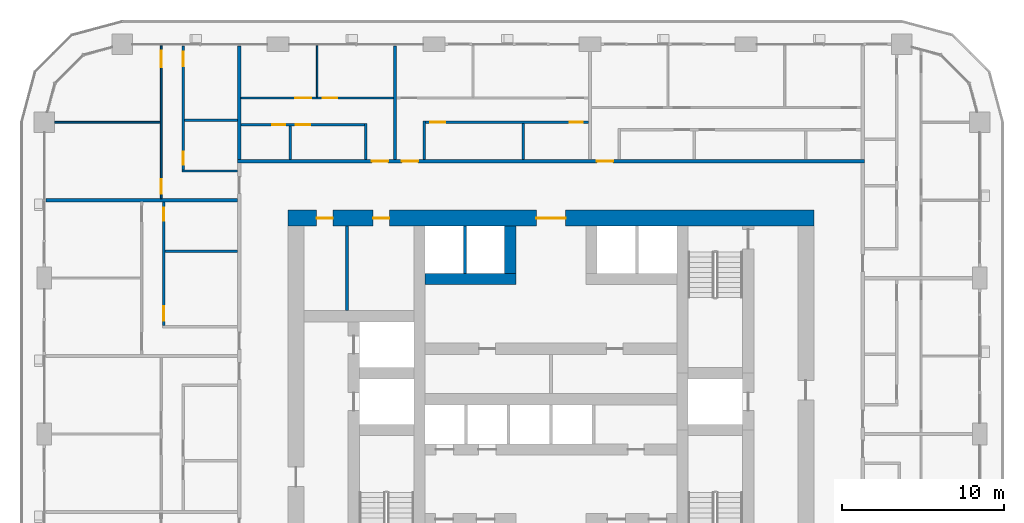
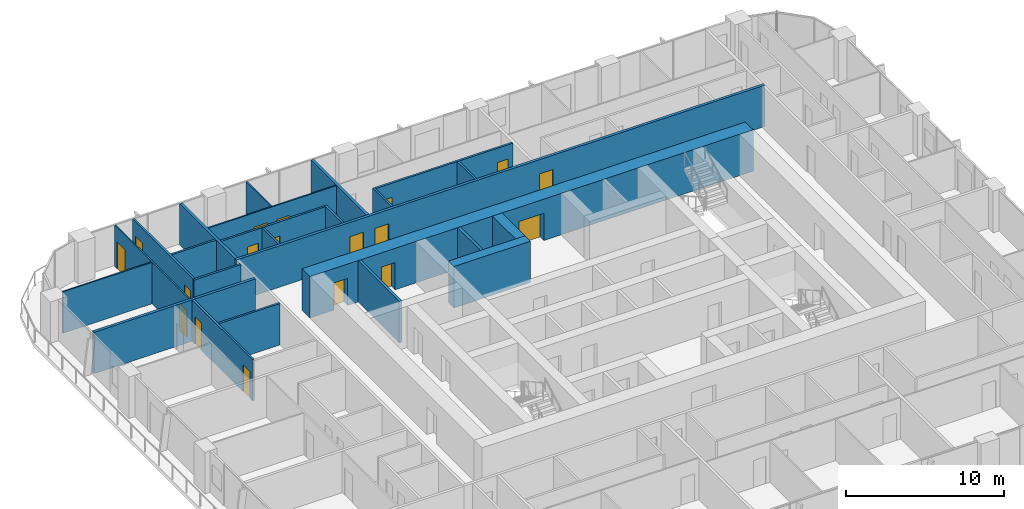
# One storey, part 13 of 21: 24 walls, 18 doors, 18 openings.
"""IFC4 building model written with IfcOpenShell, lengths in metres."""

from ifc_helpers import new_model, si_unit, direction, frame, frame_2d, origin, place, context, subcontext, project, spatial, rectangle, extrude, material, layer, layer_set, type_object, element, fill, save


model = new_model("IFC4")

# Units and contexts
model_context = context("Model", 3, precision=1e-05, world=origin(), true_north=direction((0.0, 1.0)))
body_context = subcontext(model_context, "Body", "Model", "MODEL_VIEW")
ifc_project = project(units=[si_unit("LENGTHUNIT", "METRE"), si_unit("AREAUNIT", "SQUARE_METRE"), si_unit("VOLUMEUNIT", "CUBIC_METRE"), si_unit("PLANEANGLEUNIT", "RADIAN"), si_unit("MASSUNIT", "GRAM", prefix="KILO")], contexts=[model_context])

# Site, building, storey
site_placement = place(None, origin())
site = spatial("IfcSite", under=ifc_project, at=site_placement, CompositionType="ELEMENT")
building_placement = place(site_placement, origin())
building = spatial("IfcBuilding", under=site, at=building_placement, Name="Madar Terraces", CompositionType="ELEMENT")
storey_placement = place(building_placement, frame((0.0, 0.0, 39.89990234375)))
storey = spatial("IfcBuildingStorey", under=building, at=storey_placement, Name="L09", CompositionType="ELEMENT", Elevation=39.89990234375)

# Walls
ifc_material_1 = material(Name="Concrete C80/95", Category="concrete")
ifc_layer_1 = layer(ifc_material_1, 0.699951171875)
ifc_layer_set_1 = layer_set([ifc_layer_1], Name="Concrete C80/95 (CIW1 RC wall 700)")
wall_type_1 = type_object("IfcWallType", Name="CIW1 RC wall 700", PredefinedType="SHEAR", material=ifc_layer_set_1)
wall_1_placement = place(storey_placement, frame((23.449951171875, 33.550048828125, 0.0), z_axis=(0.0, 0.0, 1.0), x_axis=(1.0, 0.0, 0.0)))
element("IfcWall", 1, at=wall_1_placement, inside=storey, type_object=wall_type_1, Name="CORE SHAFT WALL", PredefinedType="SHEAR", context=body_context, shape_type="SweptSolid", body=[
    extrude(rectangle(XDim=5.60009765625, YDim=0.699951171875, at=frame_2d((2.800048828125, 0.0))), origin(), (0.0, 0.0, 1.0), 3.2001953125),
])
wall_2_placement = place(storey_placement, frame((28.699951171875, 33.89990234375, 0.0), z_axis=(0.0, 0.0, 1.0), x_axis=(0.0, 1.0, 0.0)))
element("IfcWall", 2, at=wall_2_placement, inside=storey, type_object=wall_type_1, Name="CORE SHAFT WALL", PredefinedType="SHEAR", context=body_context, shape_type="SweptSolid", body=[
    extrude(rectangle(XDim=2.900146484375, YDim=0.699951171875, at=frame_2d((1.4501953125, 0.0))), origin(), (0.0, 0.0, 1.0), 3.2001953125),
])

# Wall, openings, doors
ifc_material_2 = material(Name="Concrete C80/95", Category="concrete")
ifc_layer_2 = layer(ifc_material_2, 1.0)
ifc_layer_set_2 = layer_set([ifc_layer_2], Name="Concrete C80/95 (CRW1 RC wall 1000)")
wall_type_2 = type_object("IfcWallType", Name="CRW1 RC wall 1000", PredefinedType="SHEAR", material=ifc_layer_set_2)
wall_3_placement = place(storey_placement, frame((15.0, 37.300048828125, 0.0), z_axis=(0.0, 0.0, 1.0), x_axis=(1.0, 0.0, 0.0)))
wall_3 = element("IfcWall", 3, at=wall_3_placement, inside=storey, type_object=wall_type_2, Name="CORE OUTER WALL", PredefinedType="SHEAR", context=body_context, shape_type="SweptSolid", body=[
    extrude(rectangle(XDim=32.39990234375, YDim=1.0, at=frame_2d((16.199951171875, 0.0))), origin(), (0.0, 0.0, 1.0), 3.2001953125),
])
opening_1_placement = place(wall_3_placement, frame((15.300048828125, 0.0, 0.0)))
opening_1 = element("IfcOpeningElement", 4, at=opening_1_placement, cuts=wall_3, Name="Opening KD1", PredefinedType="OPENING", context=body_context, shape_type="SweptSolid", body=[
    extrude(rectangle(XDim=1.800048828125, YDim=2.10009765625, at=frame_2d((0.89990234375, 1.050048828125))), frame((0.0, 0.510009765625, 0.0), z_axis=(0.0, -1.0, 0.0), x_axis=(1.0, 0.0, 0.0)), (0.0, 0.0, 1.0), 1.02001953125),
])
opening_2_placement = place(wall_3_placement, frame((1.766357421875, 0.0, 0.0)))
opening_2 = element("IfcOpeningElement", 5, at=opening_2_placement, cuts=wall_3, Name="Opening KD2", PredefinedType="OPENING", context=body_context, shape_type="SweptSolid", body=[
    extrude(rectangle(XDim=1.0, YDim=2.10009765625, at=frame_2d((0.5, 1.050048828125))), frame((0.0, 0.510009765625, 0.0), z_axis=(0.0, -1.0, 0.0), x_axis=(1.0, 0.0, 0.0)), (0.0, 0.0, 1.0), 1.02001953125),
])
opening_3_placement = place(wall_3_placement, frame((5.2412109375, 0.0, 0.0)))
opening_3 = element("IfcOpeningElement", 6, at=opening_3_placement, cuts=wall_3, Name="Opening KD2", PredefinedType="OPENING", context=body_context, shape_type="SweptSolid", body=[
    extrude(rectangle(XDim=1.0, YDim=2.10009765625, at=frame_2d((0.5, 1.050048828125))), frame((0.0, 0.510009765625, 0.0), z_axis=(0.0, -1.0, 0.0), x_axis=(1.0, 0.0, 0.0)), (0.0, 0.0, 1.0), 1.02001953125),
])
ifc_material_3 = material(Name="Steel door leaf", Category="steel")
door_type_1 = type_object("IfcDoorType", Name="Lobby door pair 1800 x 2100", OperationType="DOUBLE_DOOR_SINGLE_SWING", PredefinedType="DOOR", material=ifc_material_3)
door_1_placement = place(opening_1_placement, origin())
door_1 = element("IfcDoor", 7, at=door_1_placement, inside=storey, type_object=door_type_1, Name="LIFT LOBBY DOOR", OperationType="DOUBLE_DOOR_SINGLE_SWING", OverallHeight=2.10009765625, OverallWidth=1.800048828125, PredefinedType="DOOR", context=body_context, shape_type="SweptSolid", body=[
    extrude(rectangle(XDim=1.800048828125, YDim=2.10009765625, at=frame_2d((0.89990234375, 1.050048828125))), frame((0.0, 0.02490234375, 0.0), z_axis=(0.0, -1.0, 0.0), x_axis=(1.0, 0.0, 0.0)), (0.0, 0.0, 1.0), 0.050048828125),
])
fill(opening_1, door_1)
ifc_material_4 = material(Name="Steel door leaf", Category="steel")
door_type_2 = type_object("IfcDoorType", Name="Service room door 1000 x 2100", OperationType="NOTDEFINED", PredefinedType="DOOR", material=ifc_material_4)
door_2_placement = place(opening_2_placement, origin())
door_2 = element("IfcDoor", 8, at=door_2_placement, inside=storey, type_object=door_type_2, Name="SERVICE ROOM DOOR", OperationType="SINGLE_SWING_RIGHT", OverallHeight=2.10009765625, OverallWidth=1.0, PredefinedType="DOOR", context=body_context, shape_type="SweptSolid", body=[
    extrude(rectangle(XDim=1.0, YDim=2.10009765625, at=frame_2d((0.5, 1.050048828125))), frame((0.0, 0.02490234375, 0.0), z_axis=(0.0, -1.0, 0.0), x_axis=(1.0, 0.0, 0.0)), (0.0, 0.0, 1.0), 0.050048828125),
])
fill(opening_2, door_2)
door_3_placement = place(opening_3_placement, origin())
door_3 = element("IfcDoor", 9, at=door_3_placement, inside=storey, type_object=door_type_2, Name="SERVICE ROOM DOOR", OperationType="SINGLE_SWING_LEFT", OverallHeight=2.10009765625, OverallWidth=1.0, PredefinedType="DOOR", context=body_context, shape_type="SweptSolid", body=[
    extrude(rectangle(XDim=1.0, YDim=2.10009765625, at=frame_2d((0.5, 1.050048828125))), frame((0.0, 0.02490234375, 0.0), z_axis=(0.0, -1.0, 0.0), x_axis=(1.0, 0.0, 0.0)), (0.0, 0.0, 1.0), 0.050048828125),
])
fill(opening_3, door_3)

# Walls
ifc_material_5 = material(Name="Masonry blockwork", Category="masonry")
ifc_layer_3 = layer(ifc_material_5, 0.199951171875)
ifc_layer_set_3 = layer_set([ifc_layer_3], Name="Core partition 200 blockwork")
wall_type_3 = type_object("IfcWallType", Name="Core partition 200 blockwork", PredefinedType="PARTITIONING", material=ifc_layer_set_3)
wall_4_placement = place(storey_placement, frame((18.632568359375, 31.60009765625, 0.0), z_axis=(0.0, 0.0, 1.0), x_axis=(0.0, 1.0, 0.0)))
element("IfcWall", 10, at=wall_4_placement, inside=storey, type_object=wall_type_3, Name="SERVICE ROOM PARTITION", PredefinedType="PARTITIONING", context=body_context, shape_type="SweptSolid", body=[
    extrude(rectangle(XDim=5.199951171875, YDim=0.199951171875, at=frame_2d((2.60009765625, 0.0))), origin(), (0.0, 0.0, 1.0), 3.2001953125),
])
ifc_material_6 = material(Name="Concrete C40/50", Category="concrete")
ifc_layer_4 = layer(ifc_material_6, 0.199951171875)
ifc_layer_set_4 = layer_set([ifc_layer_4], Name="Core shaft dividing wall 200 C40/50")
wall_type_4 = type_object("IfcWallType", Name="Core shaft dividing wall 200 C40/50", PredefinedType="SOLIDWALL", material=ifc_layer_set_4)
wall_5_placement = place(storey_placement, frame((25.89990234375, 33.89990234375, 0.0), z_axis=(0.0, 0.0, 1.0), x_axis=(0.0, 1.0, 0.0)))
element("IfcWall", 11, at=wall_5_placement, inside=storey, type_object=wall_type_4, Name="SHAFT DIVIDING WALL", PredefinedType="SOLIDWALL", context=body_context, shape_type="SweptSolid", body=[
    extrude(rectangle(XDim=2.900146484375, YDim=0.199951171875, at=frame_2d((1.4501953125, 0.0))), origin(), (0.0, 0.0, 1.0), 3.2001953125),
])
ifc_material_7 = material(Name="Gypsum board on steel studs", Category="steel")
ifc_layer_5 = layer(ifc_material_7, 0.10009765625)
ifc_layer_set_5 = layer_set([ifc_layer_5], Name="Flat partition 100")
wall_type_5 = type_object("IfcWallType", Name="Flat partition 100", PredefinedType="PARTITIONING", material=ifc_layer_set_5)
wall_6_placement = place(storey_placement, frame((16.800048828125, 44.75, 0.0), z_axis=(0.0, 0.0, 1.0), x_axis=(0.0, 1.0, 0.0)))
element("IfcWall", 12, at=wall_6_placement, inside=storey, type_object=wall_type_5, Name="Flat partition 100", PredefinedType="PARTITIONING", context=body_context, shape_type="SweptSolid", body=[
    extrude(rectangle(XDim=3.14990234375, YDim=0.10009765625, at=frame_2d((1.574951171875, 0.0))), origin(), (0.0, 0.0, 1.0), 3.2001953125),
])

# Wall, openings, doors
wall_7_placement = place(storey_placement, frame((12.10009765625, 44.699951171875, 0.0), z_axis=(0.0, 0.0, 1.0), x_axis=(1.0, 0.0, 0.0)))
wall_7 = element("IfcWall", 13, at=wall_7_placement, inside=storey, type_object=wall_type_5, Name="Flat partition 100", PredefinedType="PARTITIONING", context=body_context, shape_type="SweptSolid", body=[
    extrude(rectangle(XDim=9.39990234375, YDim=0.10009765625, at=frame_2d((4.699951171875, 0.0))), origin(), (0.0, 0.0, 1.0), 3.2001953125),
])
opening_4_placement = place(wall_7_placement, frame((5.050048828125, 0.0, 0.0)))
opening_4 = element("IfcOpeningElement", 14, at=opening_4_placement, cuts=wall_7, Name="Opening D2", PredefinedType="OPENING", context=body_context, shape_type="SweptSolid", body=[
    extrude(rectangle(XDim=0.89990234375, YDim=2.10009765625, at=frame_2d((0.449951171875, 1.050048828125))), frame((0.0, 0.06005859375, 0.0), z_axis=(0.0, -1.0, 0.0), x_axis=(1.0, 0.0, 0.0)), (0.0, 0.0, 1.0), 0.1201171875),
])
opening_5_placement = place(wall_7_placement, frame((3.35009765625, 0.0, 0.0)))
opening_5 = element("IfcOpeningElement", 15, at=opening_5_placement, cuts=wall_7, Name="Opening D3", PredefinedType="OPENING", context=body_context, shape_type="SweptSolid", body=[
    extrude(rectangle(XDim=1.0, YDim=2.10009765625, at=frame_2d((0.5, 1.050048828125))), frame((0.0, 0.06005859375, 0.0), z_axis=(0.0, -1.0, 0.0), x_axis=(1.0, 0.0, 0.0)), (0.0, 0.0, 1.0), 0.1201171875),
])
ifc_material_8 = material(Name="Timber door leaf", Category="wood")
door_type_3 = type_object("IfcDoorType", Name="Flat living room door 1000", OperationType="NOTDEFINED", PredefinedType="DOOR", material=ifc_material_8)
door_4_placement = place(opening_5_placement, origin())
door_4 = element("IfcDoor", 16, at=door_4_placement, inside=storey, type_object=door_type_3, Name="Flat living room door 1000", OperationType="SINGLE_SWING_RIGHT", OverallHeight=2.10009765625, OverallWidth=1.0, PredefinedType="DOOR", context=body_context, shape_type="SweptSolid", body=[
    extrude(rectangle(XDim=1.0, YDim=2.10009765625, at=frame_2d((0.5, 1.050048828125))), frame((0.0, 0.02490234375, 0.0), z_axis=(0.0, -1.0, 0.0), x_axis=(1.0, 0.0, 0.0)), (0.0, 0.0, 1.0), 0.050048828125),
])
fill(opening_5, door_4)
ifc_material_9 = material(Name="Timber door leaf", Category="wood")
door_type_4 = type_object("IfcDoorType", Name="Flat room door 900", OperationType="NOTDEFINED", PredefinedType="DOOR", material=ifc_material_9)
door_5_placement = place(opening_4_placement, origin())
door_5 = element("IfcDoor", 17, at=door_5_placement, inside=storey, type_object=door_type_4, Name="Flat room door 900", OperationType="SINGLE_SWING_LEFT", OverallHeight=2.10009765625, OverallWidth=0.89990234375, PredefinedType="DOOR", context=body_context, shape_type="SweptSolid", body=[
    extrude(rectangle(XDim=0.89990234375, YDim=2.10009765625, at=frame_2d((0.449951171875, 1.050048828125))), frame((0.0, 0.02490234375, 0.0), z_axis=(0.0, -1.0, 0.0), x_axis=(1.0, 0.0, 0.0)), (0.0, 0.0, 1.0), 0.050048828125),
])
fill(opening_4, door_5)

# Wall
wall_8_placement = place(storey_placement, frame((7.14990234375, 43.199951171875, 0.0), z_axis=(0.0, 0.0, 1.0), x_axis=(-1.0, 0.0, 0.0)))
element("IfcWall", 18, at=wall_8_placement, inside=storey, type_object=wall_type_5, Name="Flat partition 100", PredefinedType="PARTITIONING", context=body_context, shape_type="SweptSolid", body=[
    extrude(rectangle(XDim=6.52490234375, YDim=0.10009765625, at=frame_2d((3.262451171875, 0.0))), origin(), (0.0, 0.0, 1.0), 3.2001953125),
])

# Wall, openings, doors
wall_9_placement = place(storey_placement, frame((7.199951171875, 38.5, 0.0), z_axis=(0.0, 0.0, 1.0), x_axis=(0.0, 1.0, 0.0)))
wall_9 = element("IfcWall", 19, at=wall_9_placement, inside=storey, type_object=wall_type_5, Name="Flat partition 100", PredefinedType="PARTITIONING", context=body_context, shape_type="SweptSolid", body=[
    extrude(rectangle(XDim=9.39990234375, YDim=0.10009765625, at=frame_2d((4.699951171875, 0.0))), origin(), (0.0, 0.0, 1.0), 3.2001953125),
])
opening_6_placement = place(wall_9_placement, frame((0.300048828125, 0.0, 0.0)))
opening_6 = element("IfcOpeningElement", 20, at=opening_6_placement, cuts=wall_9, Name="Opening D2", PredefinedType="OPENING", context=body_context, shape_type="SweptSolid", body=[
    extrude(rectangle(XDim=0.89990234375, YDim=2.10009765625, at=frame_2d((0.449951171875, 1.050048828125))), frame((0.0, 0.06005859375, 0.0), z_axis=(0.0, -1.0, 0.0), x_axis=(1.0, 0.0, 0.0)), (0.0, 0.0, 1.0), 0.1201171875),
])
opening_7_placement = place(wall_9_placement, frame((8.10009765625, 0.0, 0.0)))
opening_7 = element("IfcOpeningElement", 21, at=opening_7_placement, cuts=wall_9, Name="Opening D3", PredefinedType="OPENING", context=body_context, shape_type="SweptSolid", body=[
    extrude(rectangle(XDim=1.0, YDim=2.10009765625, at=frame_2d((0.5, 1.050048828125))), frame((0.0, 0.06005859375, 0.0), z_axis=(0.0, -1.0, 0.0), x_axis=(1.0, 0.0, 0.0)), (0.0, 0.0, 1.0), 0.1201171875),
])
door_6_placement = place(opening_7_placement, origin())
door_6 = element("IfcDoor", 22, at=door_6_placement, inside=storey, type_object=door_type_3, Name="Flat living room door 1000", OperationType="SINGLE_SWING_RIGHT", OverallHeight=2.10009765625, OverallWidth=1.0, PredefinedType="DOOR", context=body_context, shape_type="SweptSolid", body=[
    extrude(rectangle(XDim=1.0, YDim=2.10009765625, at=frame_2d((0.5, 1.050048828125))), frame((0.0, 0.02490234375, 0.0), z_axis=(0.0, -1.0, 0.0), x_axis=(1.0, 0.0, 0.0)), (0.0, 0.0, 1.0), 0.050048828125),
])
fill(opening_7, door_6)
door_7_placement = place(opening_6_placement, origin())
door_7 = element("IfcDoor", 23, at=door_7_placement, inside=storey, type_object=door_type_4, Name="Flat room door 900", OperationType="SINGLE_SWING_LEFT", OverallHeight=2.10009765625, OverallWidth=0.89990234375, PredefinedType="DOOR", context=body_context, shape_type="SweptSolid", body=[
    extrude(rectangle(XDim=0.89990234375, YDim=2.10009765625, at=frame_2d((0.449951171875, 1.050048828125))), frame((0.0, 0.02490234375, 0.0), z_axis=(0.0, -1.0, 0.0), x_axis=(1.0, 0.0, 0.0)), (0.0, 0.0, 1.0), 0.050048828125),
])
fill(opening_6, door_7)

ifc_material_10 = material(Name="Lightweight blockwork", Category="masonry")
ifc_layer_6 = layer(ifc_material_10, 0.199951171875)
ifc_layer_set_6 = layer_set([ifc_layer_6], Name="Flat party and entrance wall 200")
wall_type_6 = type_object("IfcWallType", Name="Flat party and entrance wall 200", PredefinedType="PARTITIONING", material=ifc_layer_set_6)
wall_10_placement = place(storey_placement, frame((11.89990234375, 40.800048828125, 0.0), z_axis=(0.0, 0.0, 1.0), x_axis=(1.0, 0.0, 0.0)))
wall_10 = element("IfcWall", 24, at=wall_10_placement, inside=storey, type_object=wall_type_6, Name="Flat party and entrance wall 200", PredefinedType="PARTITIONING", context=body_context, shape_type="SweptSolid", body=[
    extrude(rectangle(XDim=38.60009765625, YDim=0.199951171875, at=frame_2d((19.300048828125, 0.0))), origin(), (0.0, 0.0, 1.0), 3.2001953125),
])
opening_8_placement = place(wall_10_placement, frame((22.125, 0.0, 0.0)))
opening_8 = element("IfcOpeningElement", 25, at=opening_8_placement, cuts=wall_10, Name="Opening D1", PredefinedType="OPENING", context=body_context, shape_type="SweptSolid", body=[
    extrude(rectangle(XDim=1.0, YDim=2.10009765625, at=frame_2d((0.5, 1.050048828125))), frame((0.0, 0.10986328125, 0.0), z_axis=(0.0, -1.0, 0.0), x_axis=(1.0, 0.0, 0.0)), (0.0, 0.0, 1.0), 0.219970703125),
])
opening_9_placement = place(wall_10_placement, frame((10.125, 0.0, 0.0)))
opening_9 = element("IfcOpeningElement", 26, at=opening_9_placement, cuts=wall_10, Name="Opening D1", PredefinedType="OPENING", context=body_context, shape_type="SweptSolid", body=[
    extrude(rectangle(XDim=1.0, YDim=2.10009765625, at=frame_2d((0.5, 1.050048828125))), frame((0.0, 0.10986328125, 0.0), z_axis=(0.0, -1.0, 0.0), x_axis=(1.0, 0.0, 0.0)), (0.0, 0.0, 1.0), 0.219970703125),
])
opening_10_placement = place(wall_10_placement, frame((8.27490234375, 0.0, 0.0)))
opening_10 = element("IfcOpeningElement", 27, at=opening_10_placement, cuts=wall_10, Name="Opening D1", PredefinedType="OPENING", context=body_context, shape_type="SweptSolid", body=[
    extrude(rectangle(XDim=1.0, YDim=2.10009765625, at=frame_2d((0.5, 1.050048828125))), frame((0.0, 0.10986328125, 0.0), z_axis=(0.0, -1.0, 0.0), x_axis=(1.0, 0.0, 0.0)), (0.0, 0.0, 1.0), 0.219970703125),
])
ifc_material_11 = material(Name="Timber fire door leaf", Category="wood")
door_type_5 = type_object("IfcDoorType", Name="Flat entrance door 1000 FD30S", OperationType="NOTDEFINED", PredefinedType="DOOR", material=ifc_material_11)
door_8_placement = place(opening_8_placement, origin())
door_8 = element("IfcDoor", 28, at=door_8_placement, inside=storey, type_object=door_type_5, Name="Flat entrance door 1000 FD30S", OperationType="SINGLE_SWING_LEFT", OverallHeight=2.10009765625, OverallWidth=1.0, PredefinedType="DOOR", context=body_context, shape_type="SweptSolid", body=[
    extrude(rectangle(XDim=1.0, YDim=2.10009765625, at=frame_2d((0.5, 1.050048828125))), frame((0.0, 0.02490234375, 0.0), z_axis=(0.0, -1.0, 0.0), x_axis=(1.0, 0.0, 0.0)), (0.0, 0.0, 1.0), 0.050048828125),
])
fill(opening_8, door_8)
door_9_placement = place(opening_9_placement, origin())
door_9 = element("IfcDoor", 29, at=door_9_placement, inside=storey, type_object=door_type_5, Name="Flat entrance door 1000 FD30S", OperationType="SINGLE_SWING_LEFT", OverallHeight=2.10009765625, OverallWidth=1.0, PredefinedType="DOOR", context=body_context, shape_type="SweptSolid", body=[
    extrude(rectangle(XDim=1.0, YDim=2.10009765625, at=frame_2d((0.5, 1.050048828125))), frame((0.0, 0.02490234375, 0.0), z_axis=(0.0, -1.0, 0.0), x_axis=(1.0, 0.0, 0.0)), (0.0, 0.0, 1.0), 0.050048828125),
])
fill(opening_9, door_9)
door_10_placement = place(opening_10_placement, origin())
door_10 = element("IfcDoor", 30, at=door_10_placement, inside=storey, type_object=door_type_5, Name="Flat entrance door 1000 FD30S", OperationType="SINGLE_SWING_RIGHT", OverallHeight=2.10009765625, OverallWidth=1.0, PredefinedType="DOOR", context=body_context, shape_type="SweptSolid", body=[
    extrude(rectangle(XDim=1.0, YDim=2.10009765625, at=frame_2d((0.5, 1.050048828125))), frame((0.0, 0.02490234375, 0.0), z_axis=(0.0, -1.0, 0.0), x_axis=(1.0, 0.0, 0.0)), (0.0, 0.0, 1.0), 0.050048828125),
])
fill(opening_10, door_10)

# Walls
for number, where, z_axis, x_axis, name in (
    (31, (21.60009765625, 47.89990234375, 0.0), (0.0, 0.0, 1.0), (0.0, -1.0, 0.0), "Flat party and entrance wall 200"),
    (32, (12.0, 47.89990234375, 0.0), (0.0, 0.0, 1.0), (0.0, -1.0, 0.0), "Flat party and entrance wall 200"),
):
    element("IfcWall", number, at=place(storey_placement, frame(where, z_axis=z_axis, x_axis=x_axis)), inside=storey, type_object=wall_type_6, Name=name, PredefinedType="PARTITIONING", context=body_context, shape_type="SweptSolid", body=[
        extrude(rectangle(XDim=7.0, YDim=0.199951171875, at=frame_2d((3.5, 0.0))), origin(), (0.0, 0.0, 1.0), 3.2001953125),
    ])
wall_11_placement = place(storey_placement, frame((0.10009765625, 38.39990234375, 0.0), z_axis=(0.0, 0.0, 1.0), x_axis=(1.0, 0.0, 0.0)))
element("IfcWall", 33, at=wall_11_placement, inside=storey, type_object=wall_type_6, Name="Flat party and entrance wall 200", PredefinedType="PARTITIONING", context=body_context, shape_type="SweptSolid", body=[
    extrude(rectangle(XDim=11.7998046875, YDim=0.199951171875, at=frame_2d((5.89990234375, 0.0))), origin(), (0.0, 0.0, 1.0), 3.2001953125),
])
ifc_material_12 = material(Name="Lightweight blockwork", Category="masonry")
ifc_layer_7 = layer(ifc_material_12, 0.14990234375)
ifc_layer_set_7 = layer_set([ifc_layer_7], Name="Flat wet-room partition 150")
wall_type_7 = type_object("IfcWallType", Name="Flat wet-room partition 150", PredefinedType="PARTITIONING", material=ifc_layer_set_7)
wall_12_placement = place(storey_placement, frame((29.489990234375, 40.89990234375, 0.0), z_axis=(0.0, 0.0, 1.0), x_axis=(0.0, 1.0, 0.0)))
element("IfcWall", 34, at=wall_12_placement, inside=storey, type_object=wall_type_7, Name="Flat wet-room partition 150", PredefinedType="PARTITIONING", context=body_context, shape_type="SweptSolid", body=[
    extrude(rectangle(XDim=2.22509765625, YDim=0.14990234375, at=frame_2d((1.112548828125, 0.0))), origin(), (0.0, 0.0, 1.0), 3.2001953125),
])
wall_13_placement = place(storey_placement, frame((23.39990234375, 40.89990234375, 0.0), z_axis=(0.0, 0.0, 1.0), x_axis=(0.0, 1.0, 0.0)))
element("IfcWall", 35, at=wall_13_placement, inside=storey, type_object=wall_type_7, Name="Flat wet-room partition 150", PredefinedType="PARTITIONING", context=body_context, shape_type="SweptSolid", body=[
    extrude(rectangle(XDim=2.375, YDim=0.14990234375, at=frame_2d((1.1875, 0.0))), origin(), (0.0, 0.0, 1.0), 3.2001953125),
])

# Wall, openings, doors
wall_14_placement = place(storey_placement, frame((33.5, 43.199951171875, 0.0), z_axis=(0.0, 0.0, 1.0), x_axis=(-1.0, 0.0, 0.0)))
wall_14 = element("IfcWall", 36, at=wall_14_placement, inside=storey, type_object=wall_type_7, Name="Flat wet-room partition 150", PredefinedType="PARTITIONING", context=body_context, shape_type="SweptSolid", body=[
    extrude(rectangle(XDim=10.02490234375, YDim=0.14990234375, at=frame_2d((5.012451171875, 0.0))), origin(), (0.0, 0.0, 1.0), 3.2001953125),
])
opening_11_placement = place(wall_14_placement, frame((8.824951171875, 0.0, 0.0)))
opening_11 = element("IfcOpeningElement", 37, at=opening_11_placement, cuts=wall_14, Name="Opening D2", PredefinedType="OPENING", context=body_context, shape_type="SweptSolid", body=[
    extrude(rectangle(XDim=0.89990234375, YDim=2.10009765625, at=frame_2d((0.449951171875, 1.050048828125))), frame((0.0, 0.0849609375, 0.0), z_axis=(0.0, -1.0, 0.0), x_axis=(1.0, 0.0, 0.0)), (0.0, 0.0, 1.0), 0.169921875),
])
opening_12_placement = place(wall_14_placement, frame((0.35009765625, 0.0, 0.0)))
opening_12 = element("IfcOpeningElement", 38, at=opening_12_placement, cuts=wall_14, Name="Opening D4", PredefinedType="OPENING", context=body_context, shape_type="SweptSolid", body=[
    extrude(rectangle(XDim=0.800048828125, YDim=2.10009765625, at=frame_2d((0.39990234375, 1.050048828125))), frame((0.0, 0.0849609375, 0.0), z_axis=(0.0, -1.0, 0.0), x_axis=(1.0, 0.0, 0.0)), (0.0, 0.0, 1.0), 0.169921875),
])
ifc_material_13 = material(Name="Timber door leaf", Category="wood")
door_type_6 = type_object("IfcDoorType", Name="Flat bathroom door 800", OperationType="NOTDEFINED", PredefinedType="DOOR", material=ifc_material_13)
door_11_placement = place(opening_12_placement, origin())
door_11 = element("IfcDoor", 39, at=door_11_placement, inside=storey, type_object=door_type_6, Name="Flat bathroom door 800", OperationType="SINGLE_SWING_LEFT", OverallHeight=2.10009765625, OverallWidth=0.800048828125, PredefinedType="DOOR", context=body_context, shape_type="SweptSolid", body=[
    extrude(rectangle(XDim=0.800048828125, YDim=2.10009765625, at=frame_2d((0.39990234375, 1.050048828125))), frame((0.0, 0.02490234375, 0.0), z_axis=(0.0, -1.0, 0.0), x_axis=(1.0, 0.0, 0.0)), (0.0, 0.0, 1.0), 0.050048828125),
])
fill(opening_12, door_11)
door_12_placement = place(opening_11_placement, origin())
door_12 = element("IfcDoor", 40, at=door_12_placement, inside=storey, type_object=door_type_4, Name="Flat room door 900", OperationType="SINGLE_SWING_RIGHT", OverallHeight=2.10009765625, OverallWidth=0.89990234375, PredefinedType="DOOR", context=body_context, shape_type="SweptSolid", body=[
    extrude(rectangle(XDim=0.89990234375, YDim=2.10009765625, at=frame_2d((0.449951171875, 1.050048828125))), frame((0.0, 0.02490234375, 0.0), z_axis=(0.0, -1.0, 0.0), x_axis=(1.0, 0.0, 0.0)), (0.0, 0.0, 1.0), 0.050048828125),
])
fill(opening_11, door_12)

# Walls
wall_15_placement = place(storey_placement, frame((15.14990234375, 40.89990234375, 0.0), z_axis=(0.0, 0.0, 1.0), x_axis=(0.0, 1.0, 0.0)))
element("IfcWall", 41, at=wall_15_placement, inside=storey, type_object=wall_type_7, Name="Flat wet-room partition 150", PredefinedType="PARTITIONING", context=body_context, shape_type="SweptSolid", body=[
    extrude(rectangle(XDim=2.0751953125, YDim=0.14990234375, at=frame_2d((1.03759765625, 0.0))), origin(), (0.0, 0.0, 1.0), 3.2001953125),
])
wall_16_placement = place(storey_placement, frame((19.800048828125, 40.89990234375, 0.0), z_axis=(0.0, 0.0, 1.0), x_axis=(0.0, 1.0, 0.0)))
element("IfcWall", 42, at=wall_16_placement, inside=storey, type_object=wall_type_7, Name="Flat wet-room partition 150", PredefinedType="PARTITIONING", context=body_context, shape_type="SweptSolid", body=[
    extrude(rectangle(XDim=2.22509765625, YDim=0.14990234375, at=frame_2d((1.112548828125, 0.0))), origin(), (0.0, 0.0, 1.0), 3.2001953125),
])

# Wall, openings, doors
wall_17_placement = place(storey_placement, frame((19.72509765625, 43.050048828125, 0.0), z_axis=(0.0, 0.0, 1.0), x_axis=(-1.0, 0.0, 0.0)))
wall_17 = element("IfcWall", 43, at=wall_17_placement, inside=storey, type_object=wall_type_7, Name="Flat wet-room partition 150", PredefinedType="PARTITIONING", context=body_context, shape_type="SweptSolid", body=[
    extrude(rectangle(XDim=7.625, YDim=0.14990234375, at=frame_2d((3.8125, 0.0))), origin(), (0.0, 0.0, 1.0), 3.2001953125),
])
opening_13_placement = place(wall_17_placement, frame((3.35009765625, 0.0, 0.0)))
opening_13 = element("IfcOpeningElement", 44, at=opening_13_placement, cuts=wall_17, Name="Opening D2", PredefinedType="OPENING", context=body_context, shape_type="SweptSolid", body=[
    extrude(rectangle(XDim=0.89990234375, YDim=2.10009765625, at=frame_2d((0.449951171875, 1.050048828125))), frame((0.0, 0.0849609375, 0.0), z_axis=(0.0, -1.0, 0.0), x_axis=(1.0, 0.0, 0.0)), (0.0, 0.0, 1.0), 0.169921875),
])
opening_14_placement = place(wall_17_placement, frame((4.89990234375, 0.0, 0.0)))
opening_14 = element("IfcOpeningElement", 45, at=opening_14_placement, cuts=wall_17, Name="Opening D4", PredefinedType="OPENING", context=body_context, shape_type="SweptSolid", body=[
    extrude(rectangle(XDim=0.800048828125, YDim=2.10009765625, at=frame_2d((0.39990234375, 1.050048828125))), frame((0.0, 0.0849609375, 0.0), z_axis=(0.0, -1.0, 0.0), x_axis=(1.0, 0.0, 0.0)), (0.0, 0.0, 1.0), 0.169921875),
])
door_13_placement = place(opening_14_placement, origin())
door_13 = element("IfcDoor", 46, at=door_13_placement, inside=storey, type_object=door_type_6, Name="Flat bathroom door 800", OperationType="SINGLE_SWING_LEFT", OverallHeight=2.10009765625, OverallWidth=0.800048828125, PredefinedType="DOOR", context=body_context, shape_type="SweptSolid", body=[
    extrude(rectangle(XDim=0.800048828125, YDim=2.10009765625, at=frame_2d((0.39990234375, 1.050048828125))), frame((0.0, 0.02490234375, 0.0), z_axis=(0.0, -1.0, 0.0), x_axis=(1.0, 0.0, 0.0)), (0.0, 0.0, 1.0), 0.050048828125),
])
fill(opening_14, door_13)
door_14_placement = place(opening_13_placement, origin())
door_14 = element("IfcDoor", 47, at=door_14_placement, inside=storey, type_object=door_type_4, Name="Flat room door 900", OperationType="SINGLE_SWING_RIGHT", OverallHeight=2.10009765625, OverallWidth=0.89990234375, PredefinedType="DOOR", context=body_context, shape_type="SweptSolid", body=[
    extrude(rectangle(XDim=0.89990234375, YDim=2.10009765625, at=frame_2d((0.449951171875, 1.050048828125))), frame((0.0, 0.02490234375, 0.0), z_axis=(0.0, -1.0, 0.0), x_axis=(1.0, 0.0, 0.0)), (0.0, 0.0, 1.0), 0.050048828125),
])
fill(opening_13, door_14)

# Walls
wall_18_placement = place(storey_placement, frame((11.89990234375, 43.324951171875, 0.0), z_axis=(0.0, 0.0, 1.0), x_axis=(-1.0, 0.0, 0.0)))
element("IfcWall", 48, at=wall_18_placement, inside=storey, type_object=wall_type_7, Name="Flat wet-room partition 150", PredefinedType="PARTITIONING", context=body_context, shape_type="SweptSolid", body=[
    extrude(rectangle(XDim=3.27490234375, YDim=0.14990234375, at=frame_2d((1.637451171875, 0.0))), origin(), (0.0, 0.0, 1.0), 3.2001953125),
])
wall_19_placement = place(storey_placement, frame((11.89990234375, 40.199951171875, 0.0), z_axis=(0.0, 0.0, 1.0), x_axis=(-1.0, 0.0, 0.0)))
element("IfcWall", 49, at=wall_19_placement, inside=storey, type_object=wall_type_7, Name="Flat wet-room partition 150", PredefinedType="PARTITIONING", context=body_context, shape_type="SweptSolid", body=[
    extrude(rectangle(XDim=3.4248046875, YDim=0.14990234375, at=frame_2d((1.71240234375, 0.0))), origin(), (0.0, 0.0, 1.0), 3.2001953125),
])

# Wall, openings, doors
wall_20_placement = place(storey_placement, frame((8.550048828125, 47.89990234375, 0.0), z_axis=(0.0, 0.0, 1.0), x_axis=(0.0, -1.0, 0.0)))
wall_20 = element("IfcWall", 50, at=wall_20_placement, inside=storey, type_object=wall_type_7, Name="Flat wet-room partition 150", PredefinedType="PARTITIONING", context=body_context, shape_type="SweptSolid", body=[
    extrude(rectangle(XDim=7.625, YDim=0.14990234375, at=frame_2d((3.8125, 0.0))), origin(), (0.0, 0.0, 1.0), 3.2001953125),
])
opening_15_placement = place(wall_20_placement, frame((6.52490234375, 0.0, 0.0)))
opening_15 = element("IfcOpeningElement", 51, at=opening_15_placement, cuts=wall_20, Name="Opening D4", PredefinedType="OPENING", context=body_context, shape_type="SweptSolid", body=[
    extrude(rectangle(XDim=0.800048828125, YDim=2.10009765625, at=frame_2d((0.39990234375, 1.050048828125))), frame((0.0, 0.0849609375, 0.0), z_axis=(0.0, -1.0, 0.0), x_axis=(1.0, 0.0, 0.0)), (0.0, 0.0, 1.0), 0.169921875),
])
opening_16_placement = place(wall_20_placement, frame((0.35009765625, 0.0, 0.0)))
opening_16 = element("IfcOpeningElement", 52, at=opening_16_placement, cuts=wall_20, Name="Opening D2", PredefinedType="OPENING", context=body_context, shape_type="SweptSolid", body=[
    extrude(rectangle(XDim=0.89990234375, YDim=2.10009765625, at=frame_2d((0.449951171875, 1.050048828125))), frame((0.0, 0.0849609375, 0.0), z_axis=(0.0, -1.0, 0.0), x_axis=(1.0, 0.0, 0.0)), (0.0, 0.0, 1.0), 0.169921875),
])
door_15_placement = place(opening_15_placement, origin())
door_15 = element("IfcDoor", 53, at=door_15_placement, inside=storey, type_object=door_type_6, Name="Flat bathroom door 800", OperationType="SINGLE_SWING_RIGHT", OverallHeight=2.10009765625, OverallWidth=0.800048828125, PredefinedType="DOOR", context=body_context, shape_type="SweptSolid", body=[
    extrude(rectangle(XDim=0.800048828125, YDim=2.10009765625, at=frame_2d((0.39990234375, 1.050048828125))), frame((0.0, 0.02490234375, 0.0), z_axis=(0.0, -1.0, 0.0), x_axis=(1.0, 0.0, 0.0)), (0.0, 0.0, 1.0), 0.050048828125),
])
fill(opening_15, door_15)
door_16_placement = place(opening_16_placement, origin())
door_16 = element("IfcDoor", 54, at=door_16_placement, inside=storey, type_object=door_type_4, Name="Flat room door 900", OperationType="SINGLE_SWING_LEFT", OverallHeight=2.10009765625, OverallWidth=0.89990234375, PredefinedType="DOOR", context=body_context, shape_type="SweptSolid", body=[
    extrude(rectangle(XDim=0.89990234375, YDim=2.10009765625, at=frame_2d((0.449951171875, 1.050048828125))), frame((0.0, 0.02490234375, 0.0), z_axis=(0.0, -1.0, 0.0), x_axis=(1.0, 0.0, 0.0)), (0.0, 0.0, 1.0), 0.050048828125),
])
fill(opening_16, door_16)

# Wall
wall_21_placement = place(storey_placement, frame((11.89990234375, 35.25, 0.0), z_axis=(0.0, 0.0, 1.0), x_axis=(-1.0, 0.0, 0.0)))
element("IfcWall", 55, at=wall_21_placement, inside=storey, type_object=wall_type_7, Name="Flat wet-room partition 150", PredefinedType="PARTITIONING", context=body_context, shape_type="SweptSolid", body=[
    extrude(rectangle(XDim=4.474853515625, YDim=0.14990234375, at=frame_2d((2.2373046875, 0.0))), origin(), (0.0, 0.0, 1.0), 3.2001953125),
])

# Wall, openings, doors
wall_22_placement = place(storey_placement, frame((7.35009765625, 38.300048828125, 0.0), z_axis=(0.0, 0.0, 1.0), x_axis=(0.0, -1.0, 0.0)))
wall_22 = element("IfcWall", 56, at=wall_22_placement, inside=storey, type_object=wall_type_7, Name="Flat wet-room partition 150", PredefinedType="PARTITIONING", context=body_context, shape_type="SweptSolid", body=[
    extrude(rectangle(XDim=7.625, YDim=0.14990234375, at=frame_2d((3.8125, 0.0))), origin(), (0.0, 0.0, 1.0), 3.2001953125),
])
opening_17_placement = place(wall_22_placement, frame((6.425048828125, 0.0, 0.0)))
opening_17 = element("IfcOpeningElement", 57, at=opening_17_placement, cuts=wall_22, Name="Opening D2", PredefinedType="OPENING", context=body_context, shape_type="SweptSolid", body=[
    extrude(rectangle(XDim=0.89990234375, YDim=2.10009765625, at=frame_2d((0.449951171875, 1.050048828125))), frame((0.0, 0.0849609375, 0.0), z_axis=(0.0, -1.0, 0.0), x_axis=(1.0, 0.0, 0.0)), (0.0, 0.0, 1.0), 0.169921875),
])
opening_18_placement = place(wall_22_placement, frame((0.35009765625, 0.0, 0.0)))
opening_18 = element("IfcOpeningElement", 58, at=opening_18_placement, cuts=wall_22, Name="Opening D4", PredefinedType="OPENING", context=body_context, shape_type="SweptSolid", body=[
    extrude(rectangle(XDim=0.800048828125, YDim=2.10009765625, at=frame_2d((0.39990234375, 1.050048828125))), frame((0.0, 0.0849609375, 0.0), z_axis=(0.0, -1.0, 0.0), x_axis=(1.0, 0.0, 0.0)), (0.0, 0.0, 1.0), 0.169921875),
])
door_17_placement = place(opening_18_placement, origin())
door_17 = element("IfcDoor", 59, at=door_17_placement, inside=storey, type_object=door_type_6, Name="Flat bathroom door 800", OperationType="SINGLE_SWING_LEFT", OverallHeight=2.10009765625, OverallWidth=0.800048828125, PredefinedType="DOOR", context=body_context, shape_type="SweptSolid", body=[
    extrude(rectangle(XDim=0.800048828125, YDim=2.10009765625, at=frame_2d((0.39990234375, 1.050048828125))), frame((0.0, 0.02490234375, 0.0), z_axis=(0.0, -1.0, 0.0), x_axis=(1.0, 0.0, 0.0)), (0.0, 0.0, 1.0), 0.050048828125),
])
fill(opening_18, door_17)
door_18_placement = place(opening_17_placement, origin())
door_18 = element("IfcDoor", 60, at=door_18_placement, inside=storey, type_object=door_type_4, Name="Flat room door 900", OperationType="SINGLE_SWING_RIGHT", OverallHeight=2.10009765625, OverallWidth=0.89990234375, PredefinedType="DOOR", context=body_context, shape_type="SweptSolid", body=[
    extrude(rectangle(XDim=0.89990234375, YDim=2.10009765625, at=frame_2d((0.449951171875, 1.050048828125))), frame((0.0, 0.02490234375, 0.0), z_axis=(0.0, -1.0, 0.0), x_axis=(1.0, 0.0, 0.0)), (0.0, 0.0, 1.0), 0.050048828125),
])
fill(opening_17, door_18)

save(model, "model.ifc")
